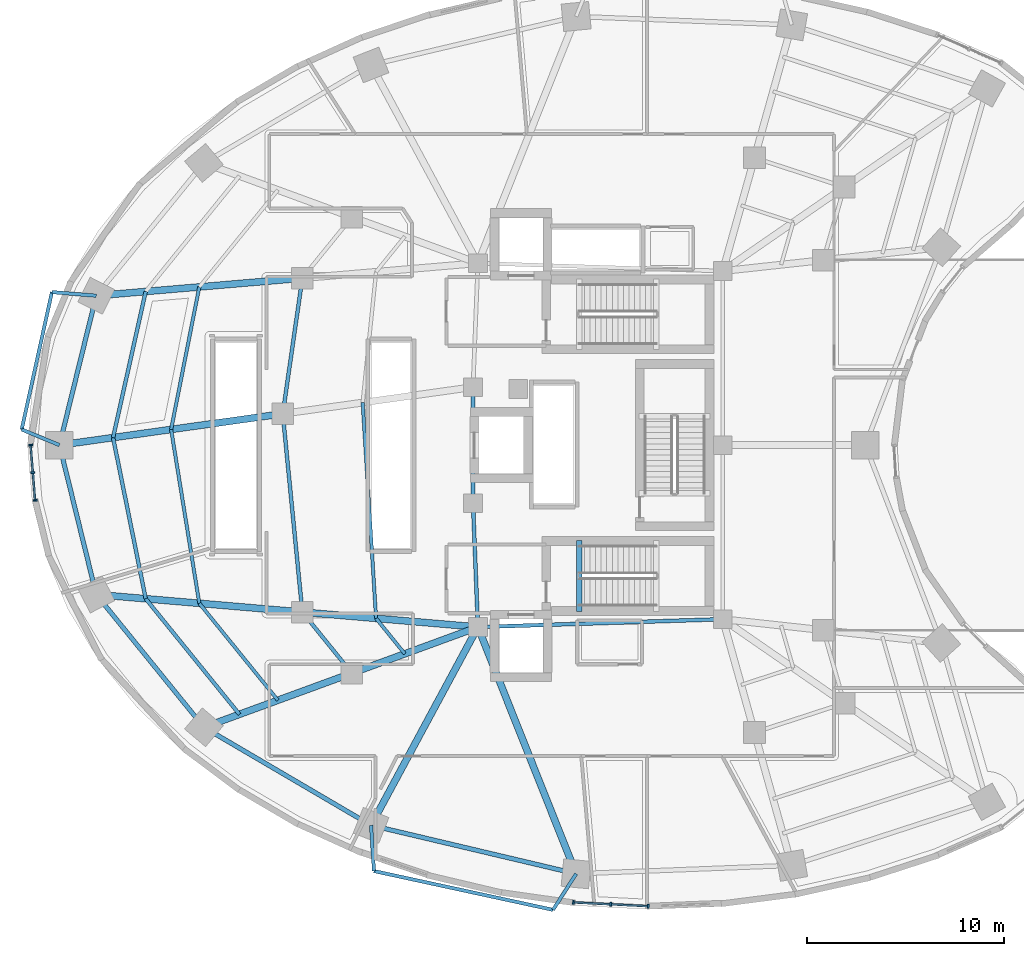
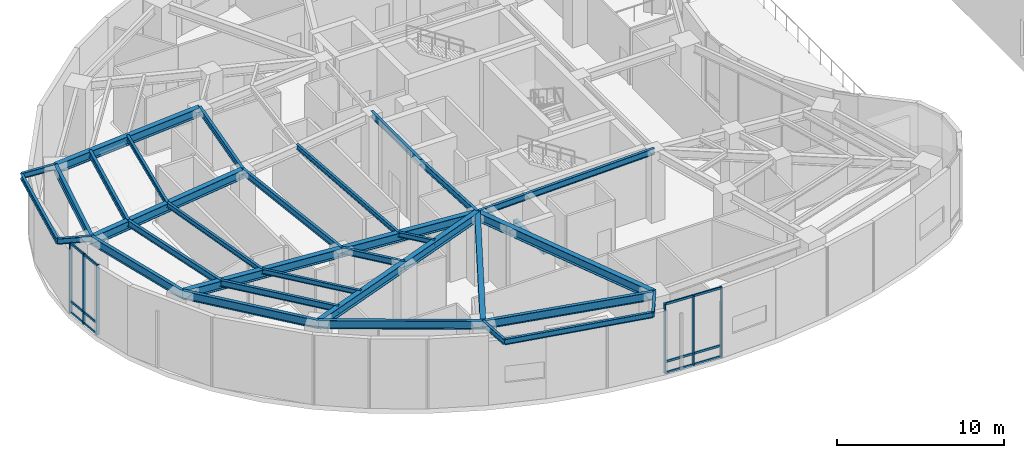
# One storey, part 3 of 19: 34 beams, 18 members, 2 elements without a shape of their own.
"""IFC4 building model written with IfcOpenShell, lengths in metres."""

from ifc_helpers import new_model, si_unit, direction, frame, origin, origin_2d, place, context, subcontext, project, spatial, rectangle, i_section, extrude, material, layer, layer_set, material_profile, profile_set, type_object, element, aggregate, save


model = new_model("IFC4")

# Units and contexts
model_context = context("Model", 3, precision=1e-05, world=origin(), true_north=direction((0.0, 1.0)))
body_context = subcontext(model_context, "Body", "Model", "MODEL_VIEW")
ifc_project = project(units=[si_unit("LENGTHUNIT", "METRE"), si_unit("AREAUNIT", "SQUARE_METRE"), si_unit("VOLUMEUNIT", "CUBIC_METRE"), si_unit("PLANEANGLEUNIT", "RADIAN"), si_unit("MASSUNIT", "GRAM", prefix="KILO")], contexts=[model_context])

# Site, building, storey
site_placement = place(None, origin())
site = spatial("IfcSite", under=ifc_project, at=site_placement, CompositionType="ELEMENT")
building_placement = place(site_placement, origin())
building = spatial("IfcBuilding", under=site, at=building_placement, Name="Korentha Bioscience Tower", CompositionType="ELEMENT")
storey_placement = place(building_placement, frame((0.0, 0.0, 20.39990234375)))
storey = spatial("IfcBuildingStorey", under=building, at=storey_placement, Name="L04", CompositionType="ELEMENT", Elevation=20.39990234375)

# Beams
ifc_material_1 = material(Name="Concrete C50", Category="concrete")
ifc_material_profile_1 = material_profile(ifc_material_1, rectangle(XDim=0.280029296875, YDim=0.3798828125, at=origin_2d()), Name="Concrete C50")
ifc_profile_set_1 = profile_set([ifc_material_profile_1], Name="Concrete C50 (ST-HB380)")
beam_type_1 = type_object("IfcBeamType", Name="Concrete Stair Header Beam RC 280x380", PredefinedType="BEAM", material=ifc_profile_set_1)
beam_1_placement = place(storey_placement, frame((30.25, 18.550048828125, -0.18994140625), z_axis=(0.0, 1.0, 0.0), x_axis=(-1.0, 0.0, 0.0)))
element("IfcBeam", 1, at=beam_1_placement, inside=storey, type_object=beam_type_1, Name="L04 ST-2 Concrete Stair Header Beam", PredefinedType="BEAM", context=body_context, shape_type="SweptSolid", body=[
    extrude(rectangle(XDim=0.280029296875, YDim=0.3798828125, at=origin_2d()), origin(), (0.0, 0.0, 1.0), 3.599853515625),
])
ifc_material_2 = material(Name="Steel S355", Category="steel")
ifc_material_profile_2 = material_profile(ifc_material_2, i_section(OverallWidth=0.18994140625, OverallDepth=0.45703125, WebThickness=0.009033203125, FlangeThickness=0.014404296875, at=origin_2d()), Name="Steel S355")
ifc_profile_set_2 = profile_set([ifc_material_profile_2], Name="Steel S355 (MB-460)")
beam_type_2 = type_object("IfcBeamType", Name="Mid-Ring Tie Girder W460x74", PredefinedType="BEAM", material=ifc_profile_set_2)
beam_2_placement = place(storey_placement, frame((16.174072265625, 35.489013671875, 4.87158203125), z_axis=(-0.14286846228, -0.989741684727, 0.0), x_axis=(0.989741684727, -0.14286846228, 0.0)))
element("IfcBeam", 2, at=beam_2_placement, inside=storey, type_object=beam_type_2, Name="L04 Mid-Ring Tie Girder 06", PredefinedType="BEAM", context=body_context, shape_type="SweptSolid", body=[
    extrude(i_section(OverallWidth=0.18994140625, OverallDepth=0.45703125, WebThickness=0.009033203125, FlangeThickness=0.014404296875, at=origin_2d()), origin(), (0.0, 0.0, 1.0), 6.967041015625),
])
beam_3_placement = place(storey_placement, frame((15.1787109375, 28.593505859375, 4.87158203125), z_axis=(0.098243909277, -0.995162365793, 0.0), x_axis=(0.995162365793, 0.098243909277, 0.0)))
element("IfcBeam", 3, at=beam_3_placement, inside=storey, type_object=beam_type_2, Name="L04 Mid-Ring Tie Girder 07", PredefinedType="BEAM", context=body_context, shape_type="SweptSolid", body=[
    extrude(i_section(OverallWidth=0.18994140625, OverallDepth=0.45703125, WebThickness=0.009033203125, FlangeThickness=0.014404296875, at=origin_2d()), origin(), (0.0, 0.0, 1.0), 10.131591796875),
])
beam_4_placement = place(storey_placement, frame((16.174072265625, 18.510986328125, 4.87158203125), z_axis=(0.629790009744, -0.776765436684, 0.0), x_axis=(0.776765436684, 0.629790009744, 0.0)))
element("IfcBeam", 4, at=beam_4_placement, inside=storey, type_object=beam_type_2, Name="L04 Mid-Ring Tie Girder 08", PredefinedType="BEAM", context=body_context, shape_type="SweptSolid", body=[
    extrude(i_section(OverallWidth=0.18994140625, OverallDepth=0.45703125, WebThickness=0.009033203125, FlangeThickness=0.014404296875, at=origin_2d()), origin(), (0.0, 0.0, 1.0), 3.998291015625),
])
beam_5_placement = place(storey_placement, frame((24.85009765625, 29.949951171875, 4.87158203125), z_axis=(0.0, -1.0, 0.0), x_axis=(1.0, 0.0, 0.0)))
element("IfcBeam", 5, at=beam_5_placement, inside=storey, type_object=beam_type_2, Name="L04 Core Ring Tie Girder 03", PredefinedType="BEAM", context=body_context, shape_type="SweptSolid", body=[
    extrude(i_section(OverallWidth=0.18994140625, OverallDepth=0.45703125, WebThickness=0.009033203125, FlangeThickness=0.014404296875, at=origin_2d()), origin(), (0.0, 0.0, 1.0), 5.89990234375),
])
beam_6_placement = place(storey_placement, frame((24.85009765625, 24.050048828125, 4.87158203125), z_axis=(0.039651025576, -0.999213588864, 0.0), x_axis=(0.999213588864, 0.039651025576, 0.0)))
element("IfcBeam", 6, at=beam_6_placement, inside=storey, type_object=beam_type_2, Name="L04 Core Ring Tie Girder 04", PredefinedType="BEAM", context=body_context, shape_type="SweptSolid", body=[
    extrude(i_section(OverallWidth=0.18994140625, OverallDepth=0.45703125, WebThickness=0.009033203125, FlangeThickness=0.014404296875, at=origin_2d()), origin(), (0.0, 0.0, 1.0), 6.304931640625),
])
beam_7_placement = place(storey_placement, frame((25.10009765625, 17.75, 4.87158203125), z_axis=(0.999484526071, 0.032104238723, 0.0), x_axis=(-0.032104238723, 0.999484526071, 0.0)))
element("IfcBeam", 7, at=beam_7_placement, inside=storey, type_object=beam_type_2, Name="L04 Core Ring Tie Girder 05", PredefinedType="BEAM", context=body_context, shape_type="SweptSolid", body=[
    extrude(i_section(OverallWidth=0.18994140625, OverallDepth=0.45703125, WebThickness=0.009033203125, FlangeThickness=0.014404296875, at=origin_2d()), origin(), (0.0, 0.0, 1.0), 12.456298828125),
])

# Curtain wall, members
ifc_material_3 = material(Name="Stone-Clad Aluminium Frame", Category="masonry")
ifc_layer = layer(ifc_material_3, 0.219970703125, Name="Stone-Clad Aluminium Frame")
ifc_layer_set = layer_set([ifc_layer], Name="Stone-Clad Aluminium Frame (CW-P1)")
curtain_wall_type = type_object("IfcCurtainWallType", Name="Podium Double-Height Stone-Mullion Curtain Wall CW-P1", PredefinedType="USERDEFINED", material=ifc_layer_set)
curtain_wall_1_placement = place(storey_placement, origin())
curtain_wall_1 = element("IfcCurtainWall", 8, at=curtain_wall_1_placement, inside=storey, type_object=curtain_wall_type, Name="L04 Curtain Wall 19", ObjectType="UNITISED", PredefinedType="USERDEFINED")
ifc_material_4 = material(Name="Anodised Aluminium 6063-T6", Category="aluminium")
ifc_material_profile_3 = material_profile(ifc_material_4, rectangle(XDim=0.090087890625, YDim=0.199951171875, at=origin_2d()), Name="Anodised Aluminium 6063-T6")
ifc_profile_set_3 = profile_set([ifc_material_profile_3], Name="Anodised Aluminium 6063-T6 (CW-MUL)")
member_type_1 = type_object("IfcMemberType", Name="Mullion RECT 90x200", PredefinedType="MULLION", material=ifc_profile_set_3)
member_1_placement = place(storey_placement, frame((2.35986328125, 27.0078125, 0.0), z_axis=(0.0, 0.0, 1.0), x_axis=(0.080820466375, -0.996728675325, 0.0)))
member_1 = element("IfcMember", 9, at=member_1_placement, type_object=member_type_1, Name="CW-L04-19 Mullion 1", PredefinedType="MULLION", context=body_context, shape_type="SweptSolid", body=[
    extrude(rectangle(XDim=0.090087890625, YDim=0.199951171875, at=origin_2d()), origin(), (0.0, 0.0, 1.0), 5.10009765625),
])
member_2_placement = place(storey_placement, frame((2.474365234375, 25.597412109375, 0.0), z_axis=(0.0, 0.0, 1.0), x_axis=(0.080820466375, -0.996728675325, 0.0)))
member_2 = element("IfcMember", 10, at=member_2_placement, type_object=member_type_1, Name="CW-L04-19 Mullion 2", PredefinedType="MULLION", context=body_context, shape_type="SweptSolid", body=[
    extrude(rectangle(XDim=0.090087890625, YDim=0.199951171875, at=origin_2d()), origin(), (0.0, 0.0, 1.0), 5.10009765625),
])
member_3_placement = place(storey_placement, frame((2.588623046875, 24.187255859375, 0.0), z_axis=(0.0, 0.0, 1.0), x_axis=(0.080820466375, -0.996728675325, 0.0)))
member_3 = element("IfcMember", 11, at=member_3_placement, type_object=member_type_1, Name="CW-L04-19 Mullion 3", PredefinedType="MULLION", context=body_context, shape_type="SweptSolid", body=[
    extrude(rectangle(XDim=0.090087890625, YDim=0.199951171875, at=origin_2d()), origin(), (0.0, 0.0, 1.0), 5.10009765625),
])

curtain_wall_2_placement = place(storey_placement, origin())
curtain_wall_2 = element("IfcCurtainWall", 12, at=curtain_wall_2_placement, inside=storey, type_object=curtain_wall_type, Name="L04 Curtain Wall 31", ObjectType="UNITISED", PredefinedType="USERDEFINED")
member_4_placement = place(storey_placement, frame((29.9541015625, 3.75244140625, 0.0), z_axis=(0.0, 0.0, 1.0), x_axis=(0.998730551641, -0.050371472279, 0.0)))
member_4 = element("IfcMember", 13, at=member_4_placement, type_object=member_type_1, Name="CW-L04-31 Mullion 1", PredefinedType="MULLION", context=body_context, shape_type="SweptSolid", body=[
    extrude(rectangle(XDim=0.090087890625, YDim=0.199951171875, at=origin_2d()), origin(), (0.0, 0.0, 1.0), 5.10009765625),
])
member_5_placement = place(storey_placement, frame((31.855224609375, 3.656494140625, 0.0), z_axis=(0.0, 0.0, 1.0), x_axis=(0.998730551641, -0.050371472279, 0.0)))
member_5 = element("IfcMember", 14, at=member_5_placement, type_object=member_type_1, Name="CW-L04-31 Mullion 2", PredefinedType="MULLION", context=body_context, shape_type="SweptSolid", body=[
    extrude(rectangle(XDim=0.090087890625, YDim=0.199951171875, at=origin_2d()), origin(), (0.0, 0.0, 1.0), 5.10009765625),
])
member_6_placement = place(storey_placement, frame((33.75634765625, 3.560791015625, 0.0), z_axis=(0.0, 0.0, 1.0), x_axis=(0.998730551641, -0.050371472279, 0.0)))
member_6 = element("IfcMember", 15, at=member_6_placement, type_object=member_type_1, Name="CW-L04-31 Mullion 3", PredefinedType="MULLION", context=body_context, shape_type="SweptSolid", body=[
    extrude(rectangle(XDim=0.090087890625, YDim=0.199951171875, at=origin_2d()), origin(), (0.0, 0.0, 1.0), 5.10009765625),
])

# Beams
ifc_material_profile_4 = material_profile(ifc_material_2, i_section(OverallWidth=0.22802734375, OverallDepth=0.60791015625, WebThickness=0.01123046875, FlangeThickness=0.017333984375, at=origin_2d()), Name="Steel S355")
ifc_profile_set_4 = profile_set([ifc_material_profile_4], Name="Steel S355 (SB-610)")
beam_type_3 = type_object("IfcBeamType", Name="Perimeter Ring Spandrel Girder W610x113", PredefinedType="SPANDREL", material=ifc_profile_set_4)
beam_8_placement = place(storey_placement, frame((5.69580078125, 34.595703125, 4.796142578125), z_axis=(-0.239119105624, -0.970990243682, 0.0), x_axis=(0.970990243682, -0.239119105624, 0.0)))
element("IfcBeam", 16, at=beam_8_placement, inside=storey, type_object=beam_type_3, Name="L04 Perimeter Spandrel Girder 06", PredefinedType="SPANDREL", context=body_context, shape_type="SweptSolid", body=[
    extrude(i_section(OverallWidth=0.22802734375, OverallDepth=0.60791015625, WebThickness=0.01123046875, FlangeThickness=0.017333984375, at=origin_2d()), origin(), (0.0, 0.0, 1.0), 7.82177734375),
])
beam_9_placement = place(storey_placement, frame((3.825439453125, 27.000732421875, 4.796142578125), z_axis=(0.23907563132, -0.971000948768, 0.0), x_axis=(0.971000948768, 0.23907563132, 0.0)))
element("IfcBeam", 17, at=beam_9_placement, inside=storey, type_object=beam_type_3, Name="L04 Perimeter Spandrel Girder 07", PredefinedType="SPANDREL", context=body_context, shape_type="SweptSolid", body=[
    extrude(i_section(OverallWidth=0.22802734375, OverallDepth=0.60791015625, WebThickness=0.01123046875, FlangeThickness=0.017333984375, at=origin_2d()), origin(), (0.0, 0.0, 1.0), 7.8232421875),
])
beam_10_placement = place(storey_placement, frame((5.69580078125, 19.404296875, 4.796142578125), z_axis=(0.629799210231, -0.776757976974, 0.0), x_axis=(0.776757976974, 0.629799210231, 0.0)))
element("IfcBeam", 18, at=beam_10_placement, inside=storey, type_object=beam_type_3, Name="L04 Perimeter Spandrel Girder 08", PredefinedType="SPANDREL", context=body_context, shape_type="SweptSolid", body=[
    extrude(i_section(OverallWidth=0.22802734375, OverallDepth=0.60791015625, WebThickness=0.01123046875, FlangeThickness=0.017333984375, at=origin_2d()), origin(), (0.0, 0.0, 1.0), 8.69189453125),
])
beam_11_placement = place(storey_placement, frame((11.169921875, 12.65283203125, 4.796142578125), z_axis=(0.862656574181, -0.505790109653, 0.0), x_axis=(0.505790109653, 0.862656574181, 0.0)))
element("IfcBeam", 19, at=beam_11_placement, inside=storey, type_object=beam_type_3, Name="L04 Perimeter Spandrel Girder 09", PredefinedType="SPANDREL", context=body_context, shape_type="SweptSolid", body=[
    extrude(i_section(OverallWidth=0.22802734375, OverallDepth=0.60791015625, WebThickness=0.01123046875, FlangeThickness=0.017333984375, at=origin_2d()), origin(), (0.0, 0.0, 1.0), 9.849365234375),
])
beam_12_placement = place(storey_placement, frame((19.66650390625, 7.671142578125, 4.796142578125), z_axis=(0.973207885376, -0.229926970672, 0.0), x_axis=(0.229926970672, 0.973207885376, 0.0)))
element("IfcBeam", 20, at=beam_12_placement, inside=storey, type_object=beam_type_3, Name="L04 Perimeter Spandrel Girder 10", PredefinedType="SPANDREL", context=body_context, shape_type="SweptSolid", body=[
    extrude(i_section(OverallWidth=0.22802734375, OverallDepth=0.60791015625, WebThickness=0.01123046875, FlangeThickness=0.017333984375, at=origin_2d()), origin(), (0.0, 0.0, 1.0), 10.71484375),
])
ifc_material_profile_5 = material_profile(ifc_material_2, i_section(OverallWidth=0.18994140625, OverallDepth=0.45703125, WebThickness=0.009033203125, FlangeThickness=0.014404296875, at=origin_2d()), Name="Steel S355")
ifc_profile_set_5 = profile_set([ifc_material_profile_5], Name="Steel S355 (RB-460)")
beam_type_4 = type_object("IfcBeamType", Name="Radial Laboratory Beam W460x74", PredefinedType="BEAM", material=ifc_profile_set_5)
beam_13_placement = place(storey_placement, frame((8.21044921875, 34.81005859375, 4.87158203125), z_axis=(-0.218146323162, -0.975916073077, 0.0), x_axis=(0.975916073077, -0.218146323162, 0.0)))
element("IfcBeam", 21, at=beam_13_placement, inside=storey, type_object=beam_type_4, Name="L04 Secondary Floor Beam JSTO-06", PredefinedType="BEAM", context=body_context, shape_type="SweptSolid", body=[
    extrude(i_section(OverallWidth=0.18994140625, OverallDepth=0.45703125, WebThickness=0.009033203125, FlangeThickness=0.014404296875, at=origin_2d()), origin(), (0.0, 0.0, 1.0), 7.6103515625),
])
beam_14_placement = place(storey_placement, frame((6.55029296875, 27.383056640625, 4.87158203125), z_axis=(0.198592296955, -0.980082190222, 0.0), x_axis=(0.980082190222, 0.198592296955, 0.0)))
element("IfcBeam", 22, at=beam_14_placement, inside=storey, type_object=beam_type_4, Name="L04 Secondary Floor Beam JSTO-07", PredefinedType="BEAM", context=body_context, shape_type="SweptSolid", body=[
    extrude(i_section(OverallWidth=0.18994140625, OverallDepth=0.45703125, WebThickness=0.009033203125, FlangeThickness=0.014404296875, at=origin_2d()), origin(), (0.0, 0.0, 1.0), 8.359619140625),
])
beam_15_placement = place(storey_placement, frame((8.21044921875, 19.18994140625, 4.87158203125), z_axis=(0.629797748553, -0.776759162107, 0.0), x_axis=(0.776759162107, 0.629797748553, 0.0)))
element("IfcBeam", 23, at=beam_15_placement, inside=storey, type_object=beam_type_4, Name="L04 Secondary Floor Beam JSTO-08", PredefinedType="BEAM", context=body_context, shape_type="SweptSolid", body=[
    extrude(i_section(OverallWidth=0.18994140625, OverallDepth=0.45703125, WebThickness=0.009033203125, FlangeThickness=0.014404296875, at=origin_2d()), origin(), (0.0, 0.0, 1.0), 7.5654296875),
])
ifc_material_profile_6 = material_profile(ifc_material_2, i_section(OverallWidth=0.35009765625, OverallDepth=0.64990234375, WebThickness=0.01611328125, FlangeThickness=0.02490234375, at=origin_2d()), Name="Steel S355")
ifc_profile_set_6 = profile_set([ifc_material_profile_6], Name="Steel S355 (RB-650)")
beam_type_5 = type_object("IfcBeamType", Name="Radial Laboratory Girder CVS 650x208", PredefinedType="BEAM", material=ifc_profile_set_6)
beam_16_placement = place(storey_placement, frame((16.174072265625, 35.489013671875, 4.775146484375), z_axis=(-0.996385601055, -0.084945476695, 0.0), x_axis=(0.084945476695, -0.996385601055, 0.0)))
element("IfcBeam", 24, at=beam_16_placement, inside=storey, type_object=beam_type_5, Name="L04 Outer Radial Girder 06", PredefinedType="BEAM", context=body_context, shape_type="SweptSolid", body=[
    extrude(i_section(OverallWidth=0.35009765625, OverallDepth=0.64990234375, WebThickness=0.01611328125, FlangeThickness=0.02490234375, at=origin_2d()), origin(), (0.0, 0.0, 1.0), 10.516357421875),
])
beam_17_placement = place(storey_placement, frame((15.1787109375, 28.593505859375, 4.775146484375), z_axis=(-0.99030199745, -0.138931471762, 0.0), x_axis=(0.138931471762, -0.99030199745, 0.0)))
element("IfcBeam", 25, at=beam_17_placement, inside=storey, type_object=beam_type_5, Name="L04 Outer Radial Girder 07", PredefinedType="BEAM", context=body_context, shape_type="SweptSolid", body=[
    extrude(i_section(OverallWidth=0.35009765625, OverallDepth=0.64990234375, WebThickness=0.01611328125, FlangeThickness=0.02490234375, at=origin_2d()), origin(), (0.0, 0.0, 1.0), 11.46435546875),
])
beam_18_placement = place(storey_placement, frame((25.10009765625, 17.75, 4.775146484375), z_axis=(-0.996385503026, 0.08494662654, 0.0), x_axis=(-0.08494662654, -0.996385503026, 0.0)))
element("IfcBeam", 26, at=beam_18_placement, inside=storey, type_object=beam_type_5, Name="L04 Inner Radial Girder 08", PredefinedType="BEAM", context=body_context, shape_type="SweptSolid", body=[
    extrude(i_section(OverallWidth=0.35009765625, OverallDepth=0.64990234375, WebThickness=0.01611328125, FlangeThickness=0.02490234375, at=origin_2d()), origin(), (0.0, 0.0, 1.0), 8.95849609375),
])
beam_19_placement = place(storey_placement, frame((16.174072265625, 18.510986328125, 4.775146484375), z_axis=(-0.996385601055, 0.084945476695, 0.0), x_axis=(-0.084945476695, -0.996385601055, 0.0)))
element("IfcBeam", 27, at=beam_19_placement, inside=storey, type_object=beam_type_5, Name="L04 Outer Radial Girder 08", PredefinedType="BEAM", context=body_context, shape_type="SweptSolid", body=[
    extrude(i_section(OverallWidth=0.35009765625, OverallDepth=0.64990234375, WebThickness=0.01611328125, FlangeThickness=0.02490234375, at=origin_2d()), origin(), (0.0, 0.0, 1.0), 10.516357421875),
])
beam_20_placement = place(storey_placement, frame((25.10009765625, 17.75, 4.775146484375), z_axis=(-0.939106237741, -0.343626940498, 0.0), x_axis=(0.343626940498, -0.939106237741, 0.0)))
element("IfcBeam", 28, at=beam_20_placement, inside=storey, type_object=beam_type_5, Name="L04 Inner Radial Girder 09", PredefinedType="BEAM", context=body_context, shape_type="SweptSolid", body=[
    extrude(i_section(OverallWidth=0.35009765625, OverallDepth=0.64990234375, WebThickness=0.01611328125, FlangeThickness=0.02490234375, at=origin_2d()), origin(), (0.0, 0.0, 1.0), 6.823486328125),
])
beam_21_placement = place(storey_placement, frame((18.692138671875, 15.4052734375, 4.775146484375), z_axis=(-0.939106299948, -0.343626770491, 0.0), x_axis=(0.343626770491, -0.939106299948, 0.0)))
element("IfcBeam", 29, at=beam_21_placement, inside=storey, type_object=beam_type_5, Name="L04 Outer Radial Girder 09", PredefinedType="BEAM", context=body_context, shape_type="SweptSolid", body=[
    extrude(i_section(OverallWidth=0.35009765625, OverallDepth=0.64990234375, WebThickness=0.01611328125, FlangeThickness=0.02490234375, at=origin_2d()), origin(), (0.0, 0.0, 1.0), 8.010009765625),
])
beam_22_placement = place(storey_placement, frame((25.10009765625, 17.75, 4.775146484375), z_axis=(-0.47454097106, -0.880233416081, 0.0), x_axis=(0.880233416081, -0.47454097106, 0.0)))
element("IfcBeam", 30, at=beam_22_placement, inside=storey, type_object=beam_type_5, Name="L04 Radial Girder 10", PredefinedType="BEAM", context=body_context, shape_type="SweptSolid", body=[
    extrude(i_section(OverallWidth=0.35009765625, OverallDepth=0.64990234375, WebThickness=0.01611328125, FlangeThickness=0.02490234375, at=origin_2d()), origin(), (0.0, 0.0, 1.0), 11.4501953125),
])
beam_23_placement = place(storey_placement, frame((25.10009765625, 17.75, 4.775146484375), z_axis=(0.369931007413, -0.929059228335, 0.0), x_axis=(0.929059228335, 0.369931007413, 0.0)))
element("IfcBeam", 31, at=beam_23_placement, inside=storey, type_object=beam_type_5, Name="L04 Radial Girder 11", PredefinedType="BEAM", context=body_context, shape_type="SweptSolid", body=[
    extrude(i_section(OverallWidth=0.35009765625, OverallDepth=0.64990234375, WebThickness=0.01611328125, FlangeThickness=0.02490234375, at=origin_2d()), origin(), (0.0, 0.0, 1.0), 13.500244140625),
])
ifc_material_profile_7 = material_profile(ifc_material_2, i_section(OverallWidth=0.1708984375, OverallDepth=0.35498046875, WebThickness=0.007080078125, FlangeThickness=0.01171875, at=origin_2d()), Name="Steel S355")
ifc_profile_set_7 = profile_set([ifc_material_profile_7], Name="Steel S355 (JB-360)")
beam_type_6 = type_object("IfcBeamType", Name="Secondary Laboratory Joist W360x51", PredefinedType="JOIST", material=ifc_profile_set_7)
beam_24_placement = place(storey_placement, frame((10.934814453125, 35.042236328125, 4.922607421875), z_axis=(-0.193979665978, -0.981005550029, 0.0), x_axis=(0.981005550029, -0.193979665978, 0.0)))
element("IfcBeam", 32, at=beam_24_placement, inside=storey, type_object=beam_type_6, Name="L04 Secondary Floor Beam JST-06", PredefinedType="JOIST", context=body_context, shape_type="SweptSolid", body=[
    extrude(i_section(OverallWidth=0.1708984375, OverallDepth=0.35498046875, WebThickness=0.007080078125, FlangeThickness=0.01171875, at=origin_2d()), origin(), (0.0, 0.0, 1.0), 7.385498046875),
])
beam_25_placement = place(storey_placement, frame((9.502197265625, 27.797119140625, 4.922607421875), z_axis=(0.159984999905, -0.987119445561, 0.0), x_axis=(0.987119445561, 0.159984999905, 0.0)))
element("IfcBeam", 33, at=beam_25_placement, inside=storey, type_object=beam_type_6, Name="L04 Secondary Floor Beam JST-07", PredefinedType="JOIST", context=body_context, shape_type="SweptSolid", body=[
    extrude(i_section(OverallWidth=0.1708984375, OverallDepth=0.35498046875, WebThickness=0.007080078125, FlangeThickness=0.01171875, at=origin_2d()), origin(), (0.0, 0.0, 1.0), 8.95458984375),
])
beam_26_placement = place(storey_placement, frame((19.240478515625, 29.1630859375, 4.922607421875), z_axis=(0.062074098012, -0.998071543706, 0.0), x_axis=(0.998071543706, 0.062074098012, 0.0)))
element("IfcBeam", 34, at=beam_26_placement, inside=storey, type_object=beam_type_6, Name="L04 Inner Bay Joist 07", PredefinedType="JOIST", context=body_context, shape_type="SweptSolid", body=[
    extrude(i_section(OverallWidth=0.1708984375, OverallDepth=0.35498046875, WebThickness=0.007080078125, FlangeThickness=0.01171875, at=origin_2d()), origin(), (0.0, 0.0, 1.0), 10.992919921875),
])
beam_27_placement = place(storey_placement, frame((10.934814453125, 18.957763671875, 4.922607421875), z_axis=(0.629786899984, -0.776767958021, 0.0), x_axis=(0.776767958021, 0.629786899984, 0.0)))
element("IfcBeam", 35, at=beam_27_placement, inside=storey, type_object=beam_type_6, Name="L04 Secondary Floor Beam JST-08", PredefinedType="JOIST", context=body_context, shape_type="SweptSolid", body=[
    extrude(i_section(OverallWidth=0.1708984375, OverallDepth=0.35498046875, WebThickness=0.007080078125, FlangeThickness=0.01171875, at=origin_2d()), origin(), (0.0, 0.0, 1.0), 6.34521484375),
])
beam_28_placement = place(storey_placement, frame((19.9228515625, 18.19140625, 4.922607421875), z_axis=(0.629791657613, -0.776764100613, 0.0), x_axis=(0.776764100613, 0.629791657613, 0.0)))
element("IfcBeam", 36, at=beam_28_placement, inside=storey, type_object=beam_type_6, Name="L04 Inner Bay Joist 08", PredefinedType="JOIST", context=body_context, shape_type="SweptSolid", body=[
    extrude(i_section(OverallWidth=0.1708984375, OverallDepth=0.35498046875, WebThickness=0.007080078125, FlangeThickness=0.01171875, at=origin_2d()), origin(), (0.0, 0.0, 1.0), 2.31884765625),
])
ifc_material_profile_8 = material_profile(ifc_material_2, i_section(OverallWidth=0.177978515625, OverallDepth=0.406982421875, WebThickness=0.0078125, FlangeThickness=0.0126953125, at=origin_2d()), Name="Steel S355")
ifc_profile_set_8 = profile_set([ifc_material_profile_8], Name="Steel S355 (CB-410)")
beam_type_7 = type_object("IfcBeamType", Name="Sun-Ledge Cantilever Beam W410x60", PredefinedType="BEAM", material=ifc_profile_set_8)
beam_29_placement = place(storey_placement, frame((5.69580078125, 34.595703125, 4.898681640625), z_axis=(-0.996665296281, 0.08159832835, 0.0), x_axis=(-0.08159832835, -0.996665296281, 0.0)))
element("IfcBeam", 37, at=beam_29_placement, inside=storey, type_object=beam_type_7, Name="L04 Balcony Cantilever Bracket A-L05-02", PredefinedType="BEAM", context=body_context, shape_type="SweptSolid", body=[
    extrude(i_section(OverallWidth=0.177978515625, OverallDepth=0.406982421875, WebThickness=0.0078125, FlangeThickness=0.0126953125, at=origin_2d()), origin(), (0.0, 0.0, 1.0), 2.261962890625),
])
beam_30_placement = place(storey_placement, frame((3.825439453125, 27.000732421875, 4.898681640625), z_axis=(-0.924185686215, 0.381943474084, 0.0), x_axis=(-0.381943474084, -0.924185686215, 0.0)))
element("IfcBeam", 38, at=beam_30_placement, inside=storey, type_object=beam_type_7, Name="L04 Balcony Cantilever Bracket B-L05-02", PredefinedType="BEAM", context=body_context, shape_type="SweptSolid", body=[
    extrude(i_section(OverallWidth=0.177978515625, OverallDepth=0.406982421875, WebThickness=0.0078125, FlangeThickness=0.0126953125, at=origin_2d()), origin(), (0.0, 0.0, 1.0), 2.077392578125),
])
beam_31_placement = place(storey_placement, frame((3.44140625, 34.7802734375, 4.898681640625), z_axis=(-0.214721790189, -0.976675254533, 0.0), x_axis=(0.976675254533, -0.214721790189, 0.0)))
element("IfcBeam", 39, at=beam_31_placement, inside=storey, type_object=beam_type_7, Name="L04 Balcony Edge Trimmer Beam L05-02", PredefinedType="BEAM", context=body_context, shape_type="SweptSolid", body=[
    extrude(i_section(OverallWidth=0.177978515625, OverallDepth=0.406982421875, WebThickness=0.0078125, FlangeThickness=0.0126953125, at=origin_2d()), origin(), (0.0, 0.0, 1.0), 7.15283203125),
])
beam_32_placement = place(storey_placement, frame((19.66650390625, 7.671142578125, 4.898681640625), z_axis=(0.064092946504, -0.997943933399, 0.0), x_axis=(0.997943933399, 0.064092946504, 0.0)))
element("IfcBeam", 40, at=beam_32_placement, inside=storey, type_object=beam_type_7, Name="L04 Balcony Cantilever Bracket A-L05-03", PredefinedType="BEAM", context=body_context, shape_type="SweptSolid", body=[
    extrude(i_section(OverallWidth=0.177978515625, OverallDepth=0.406982421875, WebThickness=0.0078125, FlangeThickness=0.0126953125, at=origin_2d()), origin(), (0.0, 0.0, 1.0), 2.331298828125),
])
beam_33_placement = place(storey_placement, frame((30.09423828125, 5.20751953125, 4.898681640625), z_axis=(-0.539323950512, -0.842098376916, 0.0), x_axis=(0.842098376916, -0.539323950512, 0.0)))
element("IfcBeam", 41, at=beam_33_placement, inside=storey, type_object=beam_type_7, Name="L04 Balcony Cantilever Bracket B-L05-03", PredefinedType="BEAM", context=body_context, shape_type="SweptSolid", body=[
    extrude(i_section(OverallWidth=0.177978515625, OverallDepth=0.406982421875, WebThickness=0.0078125, FlangeThickness=0.0126953125, at=origin_2d()), origin(), (0.0, 0.0, 1.0), 2.1787109375),
])
beam_34_placement = place(storey_placement, frame((19.81591796875, 5.3447265625, 4.898681640625), z_axis=(0.977333174115, -0.211707030529, 0.0), x_axis=(0.211707030529, 0.977333174115, 0.0)))
element("IfcBeam", 42, at=beam_34_placement, inside=storey, type_object=beam_type_7, Name="L04 Balcony Edge Trimmer Beam L05-03", PredefinedType="BEAM", context=body_context, shape_type="SweptSolid", body=[
    extrude(i_section(OverallWidth=0.177978515625, OverallDepth=0.406982421875, WebThickness=0.0078125, FlangeThickness=0.0126953125, at=origin_2d()), origin(), (0.0, 0.0, 1.0), 9.314453125),
])

# Member
ifc_material_profile_9 = material_profile(ifc_material_4, rectangle(XDim=0.090087890625, YDim=0.159912109375, at=origin_2d()), Name="Anodised Aluminium 6063-T6")
ifc_profile_set_9 = profile_set([ifc_material_profile_9], Name="Anodised Aluminium 6063-T6 (CW-TRN)")
member_type_2 = type_object("IfcMemberType", Name="Transom RECT 90x160", PredefinedType="USERDEFINED", material=ifc_profile_set_9)
member_7_placement = place(storey_placement, frame((2.363525390625, 26.963134765625, 0.045166015625), z_axis=(0.080880177847, -0.996723831777, 0.0), x_axis=(0.996723831777, 0.080880177847, 0.0)))
member_7 = element("IfcMember", 43, at=member_7_placement, type_object=member_type_2, Name="CW-L04-19 Bay 1 Transom 1", ObjectType="TRANSOM", PredefinedType="USERDEFINED", context=body_context, shape_type="SweptSolid", body=[
    extrude(rectangle(XDim=0.090087890625, YDim=0.159912109375, at=origin_2d()), origin(), (0.0, 0.0, 1.0), 1.3251953125),
])

member_8_placement = place(storey_placement, frame((2.363525390625, 26.963134765625, 0.85009765625), z_axis=(0.080880177847, -0.996723831777, 0.0), x_axis=(0.996723831777, 0.080880177847, 0.0)))
member_8 = element("IfcMember", 44, at=member_8_placement, type_object=member_type_2, Name="CW-L04-19 Bay 1 Transom 2", ObjectType="TRANSOM", PredefinedType="USERDEFINED", context=body_context, shape_type="SweptSolid", body=[
    extrude(rectangle(XDim=0.090087890625, YDim=0.159912109375, at=origin_2d()), origin(), (0.0, 0.0, 1.0), 1.3251953125),
])

member_9_placement = place(storey_placement, frame((2.363525390625, 26.963134765625, 5.05517578125), z_axis=(0.080880177847, -0.996723831777, 0.0), x_axis=(0.996723831777, 0.080880177847, 0.0)))
member_9 = element("IfcMember", 45, at=member_9_placement, type_object=member_type_2, Name="CW-L04-19 Bay 1 Transom 3", ObjectType="TRANSOM", PredefinedType="USERDEFINED", context=body_context, shape_type="SweptSolid", body=[
    extrude(rectangle(XDim=0.090087890625, YDim=0.159912109375, at=origin_2d()), origin(), (0.0, 0.0, 1.0), 1.3251953125),
])

member_10_placement = place(storey_placement, frame((2.477783203125, 25.552734375, 0.045166015625), z_axis=(0.080880177847, -0.996723831777, 0.0), x_axis=(0.996723831777, 0.080880177847, 0.0)))
member_10 = element("IfcMember", 46, at=member_10_placement, type_object=member_type_2, Name="CW-L04-19 Bay 2 Transom 1", ObjectType="TRANSOM", PredefinedType="USERDEFINED", context=body_context, shape_type="SweptSolid", body=[
    extrude(rectangle(XDim=0.090087890625, YDim=0.159912109375, at=origin_2d()), origin(), (0.0, 0.0, 1.0), 1.3251953125),
])

member_11_placement = place(storey_placement, frame((2.477783203125, 25.552734375, 0.85009765625), z_axis=(0.080880177847, -0.996723831777, 0.0), x_axis=(0.996723831777, 0.080880177847, 0.0)))
member_11 = element("IfcMember", 47, at=member_11_placement, type_object=member_type_2, Name="CW-L04-19 Bay 2 Transom 2", ObjectType="TRANSOM", PredefinedType="USERDEFINED", context=body_context, shape_type="SweptSolid", body=[
    extrude(rectangle(XDim=0.090087890625, YDim=0.159912109375, at=origin_2d()), origin(), (0.0, 0.0, 1.0), 1.3251953125),
])

member_12_placement = place(storey_placement, frame((2.477783203125, 25.552734375, 5.05517578125), z_axis=(0.080880177847, -0.996723831777, 0.0), x_axis=(0.996723831777, 0.080880177847, 0.0)))
member_12 = element("IfcMember", 48, at=member_12_placement, type_object=member_type_2, Name="CW-L04-19 Bay 2 Transom 3", ObjectType="TRANSOM", PredefinedType="USERDEFINED", context=body_context, shape_type="SweptSolid", body=[
    extrude(rectangle(XDim=0.090087890625, YDim=0.159912109375, at=origin_2d()), origin(), (0.0, 0.0, 1.0), 1.3251953125),
])

aggregate(curtain_wall_1, [member_1, member_2, member_3, member_7, member_8, member_9, member_10, member_11, member_12])

member_13_placement = place(storey_placement, frame((29.9990234375, 3.750244140625, 0.045166015625), z_axis=(0.998731776836, -0.050347174085, 0.0), x_axis=(0.050347174085, 0.998731776836, 0.0)))
member_13 = element("IfcMember", 49, at=member_13_placement, type_object=member_type_2, Name="CW-L04-31 Bay 1 Transom 1", ObjectType="TRANSOM", PredefinedType="USERDEFINED", context=body_context, shape_type="SweptSolid", body=[
    extrude(rectangle(XDim=0.090087890625, YDim=0.159912109375, at=origin_2d()), origin(), (0.0, 0.0, 1.0), 1.8134765625),
])

member_14_placement = place(storey_placement, frame((29.9990234375, 3.750244140625, 0.85009765625), z_axis=(0.998731776836, -0.050347174085, 0.0), x_axis=(0.050347174085, 0.998731776836, 0.0)))
member_14 = element("IfcMember", 50, at=member_14_placement, type_object=member_type_2, Name="CW-L04-31 Bay 1 Transom 2", ObjectType="TRANSOM", PredefinedType="USERDEFINED", context=body_context, shape_type="SweptSolid", body=[
    extrude(rectangle(XDim=0.090087890625, YDim=0.159912109375, at=origin_2d()), origin(), (0.0, 0.0, 1.0), 1.8134765625),
])

member_15_placement = place(storey_placement, frame((29.9990234375, 3.750244140625, 5.05517578125), z_axis=(0.998731776836, -0.050347174085, 0.0), x_axis=(0.050347174085, 0.998731776836, 0.0)))
member_15 = element("IfcMember", 51, at=member_15_placement, type_object=member_type_2, Name="CW-L04-31 Bay 1 Transom 3", ObjectType="TRANSOM", PredefinedType="USERDEFINED", context=body_context, shape_type="SweptSolid", body=[
    extrude(rectangle(XDim=0.090087890625, YDim=0.159912109375, at=origin_2d()), origin(), (0.0, 0.0, 1.0), 1.8134765625),
])

member_16_placement = place(storey_placement, frame((31.900146484375, 3.654296875, 0.045166015625), z_axis=(0.998731776836, -0.050347174085, 0.0), x_axis=(0.050347174085, 0.998731776836, 0.0)))
member_16 = element("IfcMember", 52, at=member_16_placement, type_object=member_type_2, Name="CW-L04-31 Bay 2 Transom 1", ObjectType="TRANSOM", PredefinedType="USERDEFINED", context=body_context, shape_type="SweptSolid", body=[
    extrude(rectangle(XDim=0.090087890625, YDim=0.159912109375, at=origin_2d()), origin(), (0.0, 0.0, 1.0), 1.8134765625),
])

member_17_placement = place(storey_placement, frame((31.900146484375, 3.654296875, 0.85009765625), z_axis=(0.998731776836, -0.050347174085, 0.0), x_axis=(0.050347174085, 0.998731776836, 0.0)))
member_17 = element("IfcMember", 53, at=member_17_placement, type_object=member_type_2, Name="CW-L04-31 Bay 2 Transom 2", ObjectType="TRANSOM", PredefinedType="USERDEFINED", context=body_context, shape_type="SweptSolid", body=[
    extrude(rectangle(XDim=0.090087890625, YDim=0.159912109375, at=origin_2d()), origin(), (0.0, 0.0, 1.0), 1.8134765625),
])

member_18_placement = place(storey_placement, frame((31.900146484375, 3.654296875, 5.05517578125), z_axis=(0.998731776836, -0.050347174085, 0.0), x_axis=(0.050347174085, 0.998731776836, 0.0)))
member_18 = element("IfcMember", 54, at=member_18_placement, type_object=member_type_2, Name="CW-L04-31 Bay 2 Transom 3", ObjectType="TRANSOM", PredefinedType="USERDEFINED", context=body_context, shape_type="SweptSolid", body=[
    extrude(rectangle(XDim=0.090087890625, YDim=0.159912109375, at=origin_2d()), origin(), (0.0, 0.0, 1.0), 1.8134765625),
])

aggregate(curtain_wall_2, [member_4, member_5, member_6, member_13, member_14, member_15, member_16, member_17, member_18])

save(model, "model.ifc")
